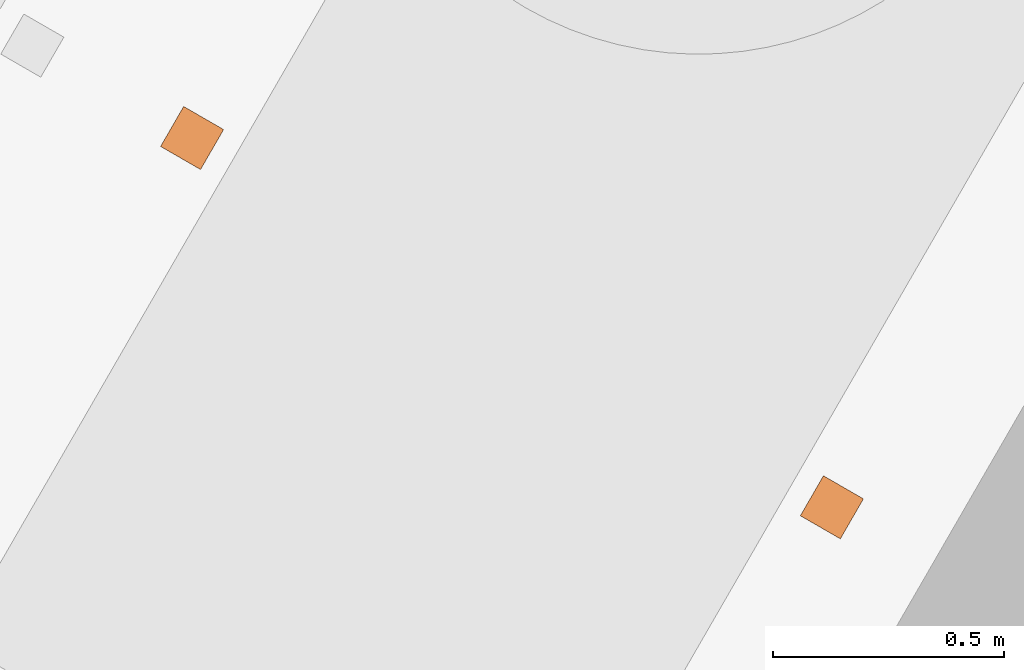
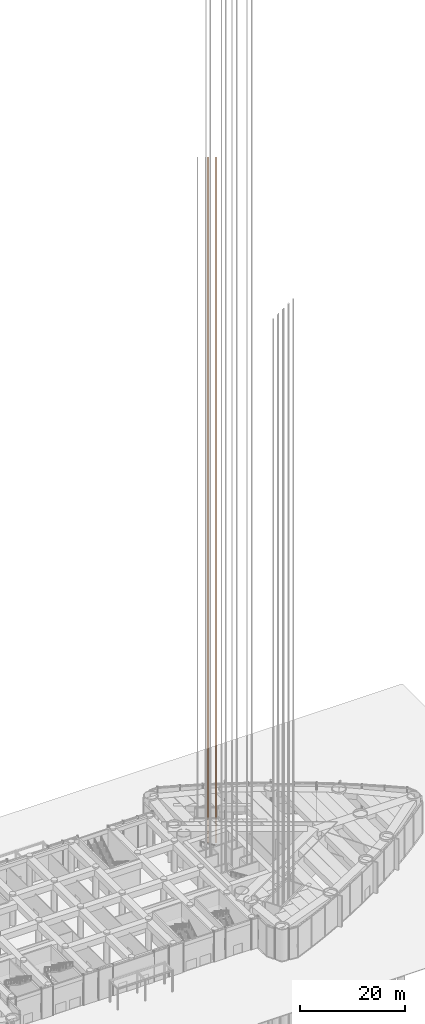
# One storey, part 43 of 43: 1 proxy.
"""IFC4 building model written with IfcOpenShell, lengths in metres."""

from ifc_helpers import new_model, si_unit, direction, frame, origin, origin_2d, place, context, subcontext, project, spatial, rectangle, extrude, material, type_object, element, save


model = new_model("IFC4")

# Units and contexts
model_context = context("Model", 3, precision=1e-05, world=origin(), true_north=direction((0.0, 1.0)))
body_context = subcontext(model_context, "Body", "Model", "MODEL_VIEW")
ifc_project = project(units=[si_unit("LENGTHUNIT", "METRE"), si_unit("AREAUNIT", "SQUARE_METRE"), si_unit("VOLUMEUNIT", "CUBIC_METRE"), si_unit("PLANEANGLEUNIT", "RADIAN"), si_unit("MASSUNIT", "GRAM", prefix="KILO")], contexts=[model_context])

# Site, building, storey
site_placement = place(None, origin())
site = spatial("IfcSite", under=ifc_project, at=site_placement, CompositionType="ELEMENT")
building_placement = place(site_placement, origin())
building = spatial("IfcBuilding", under=site, at=building_placement, Name="Lancet Gate Hotel", CompositionType="ELEMENT")
storey_placement = place(building_placement, origin())
storey = spatial("IfcBuildingStorey", under=building, at=storey_placement, Name="L00", CompositionType="ELEMENT", Elevation=0.0)

# Proxy
ifc_material = material(Name="Steel S355", Category="steel")
building_element_proxy_type = type_object("IfcBuildingElementProxyType", Name="Lift guide rails", PredefinedType="USERDEFINED", material=ifc_material)
proxy_placement = place(storey_placement, frame((37.22900390625, 14.41845703125, 0.0), z_axis=(0.0, 0.0, 1.0), x_axis=(0.499916865226, 0.866073396349, 0.0)))
element("IfcBuildingElementProxy", 1, at=proxy_placement, inside=storey, type_object=building_element_proxy_type, Name="T2-EX2 guide rails", ObjectType="LIFT GUIDE RAILS", PredefinedType="USERDEFINED", context=body_context, shape_type="SweptSolid", body=[
    extrude(rectangle(XDim=0.1, YDim=0.1, at=origin_2d()), frame((0.0, -0.800048828125, 0.0)), (0.0, 0.0, 1.0), 159.300048828125),
    extrude(rectangle(XDim=0.1, YDim=0.1, at=origin_2d()), frame((0.0, 0.800048828125, 0.0)), (0.0, 0.0, 1.0), 159.300048828125),
])

save(model, "model.ifc")
